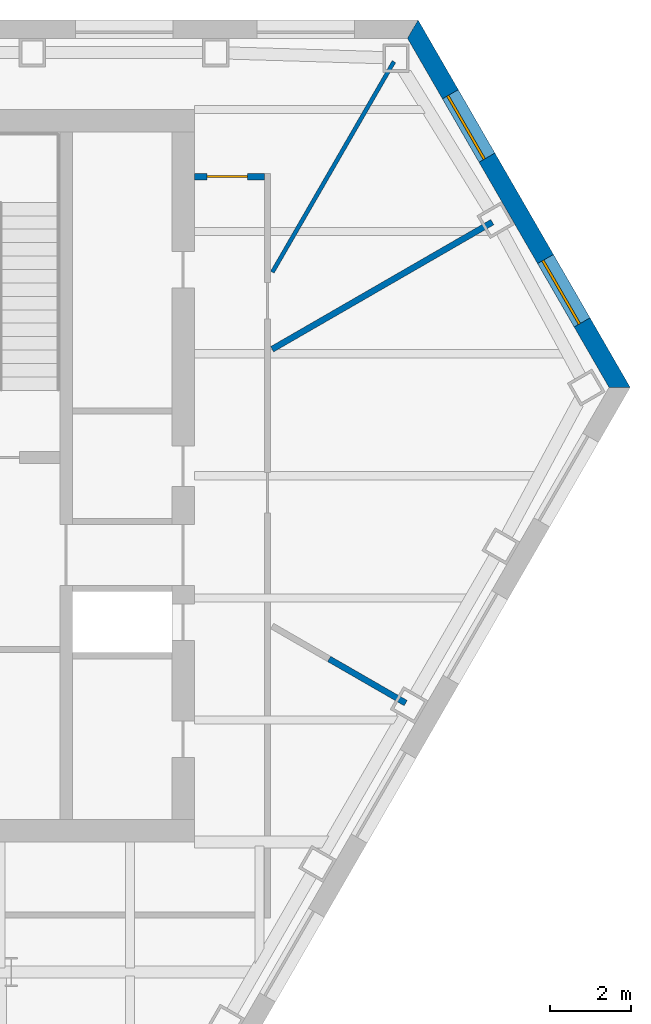
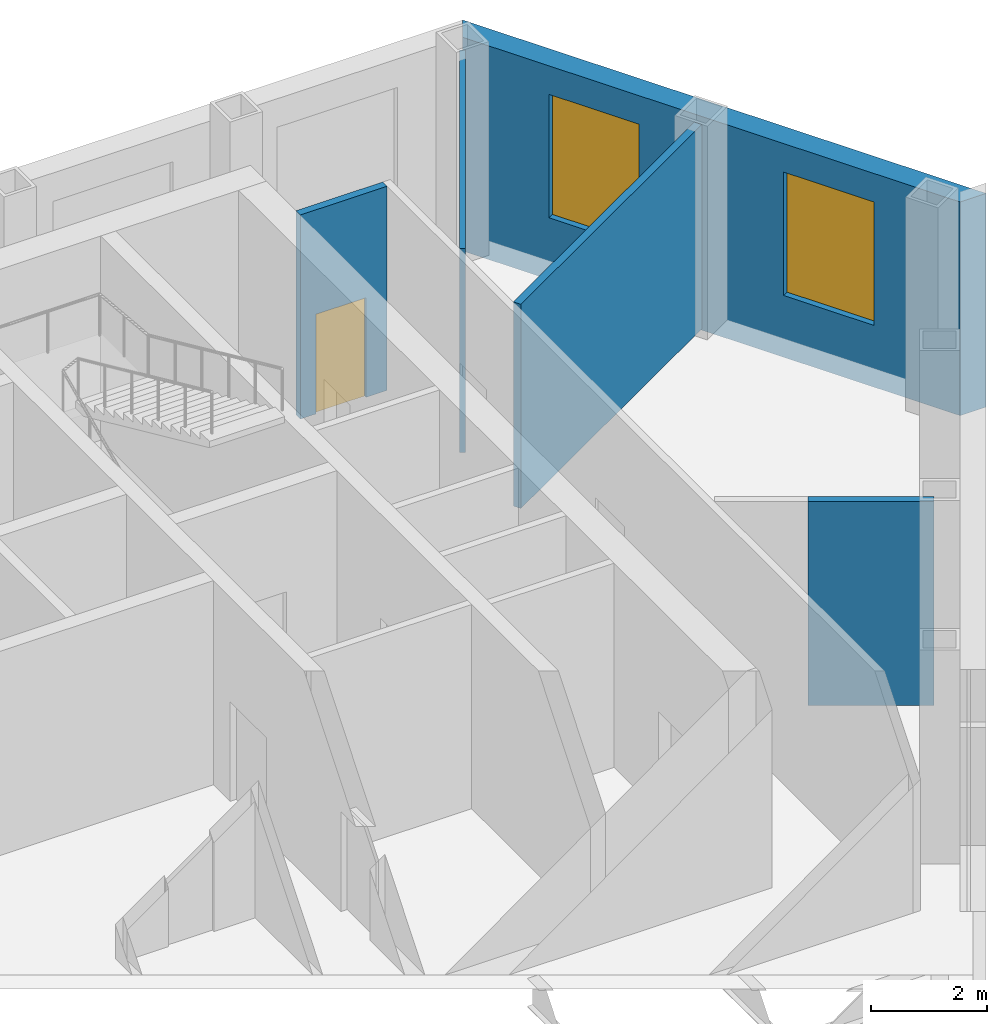
# One storey, part 8 of 11: 5 walls, 2 windows, 1 door, 3 openings.
"""IFC4 building model written with IfcOpenShell, lengths in metres."""

from ifc_helpers import new_model, si_unit, direction, frame, frame_2d, origin, place, context, subcontext, project, spatial, polyline, rectangle, outline, extrude, material, layer, layer_set, type_object, element, fill, save


model = new_model("IFC4")

# Units and contexts
model_context = context("Model", 3, precision=1e-05, world=origin(), true_north=direction((0.0, 1.0)))
body_context = subcontext(model_context, "Body", "Model", "MODEL_VIEW")
ifc_project = project(units=[si_unit("LENGTHUNIT", "METRE"), si_unit("AREAUNIT", "SQUARE_METRE"), si_unit("VOLUMEUNIT", "CUBIC_METRE"), si_unit("PLANEANGLEUNIT", "RADIAN"), si_unit("MASSUNIT", "GRAM", prefix="KILO")], contexts=[model_context])

# Site, building, storey
site_placement = place(None, origin())
site = spatial("IfcSite", under=ifc_project, at=site_placement, CompositionType="ELEMENT")
building_placement = place(site_placement, origin())
building = spatial("IfcBuilding", under=site, at=building_placement, Name="Njiva Tower", CompositionType="ELEMENT")
storey_placement = place(building_placement, frame((0.0, 0.0, 93.3)))
storey = spatial("IfcBuildingStorey", under=building, at=storey_placement, Name="L19", CompositionType="ELEMENT", Elevation=93.3)

# Wall
ifc_material_1 = material(Name="Gypsum board on steel studs", Category="gypsum")
ifc_layer_1 = layer(ifc_material_1, 0.1)
ifc_layer_set_1 = layer_set([ifc_layer_1], Name="Gypsum board on steel studs")
wall_type_1 = type_object("IfcWallType", Name="WT20 Gypsum partition 100", PredefinedType="PARTITIONING", material=ifc_layer_set_1)
wall_1_placement = place(storey_placement, frame((19.418, 14.005, 0.0), z_axis=(0.0, 0.0, 1.0), x_axis=(0.500026652407, 0.866010015463, 0.0)))
element("IfcWall", 1, at=wall_1_placement, inside=storey, type_object=wall_type_1, Name="Partition S06-P023", PredefinedType="PARTITIONING", context=body_context, shape_type="SweptSolid", body=[
    extrude(rectangle(XDim=5.9757, YDim=0.1, at=frame_2d((2.9878, 0.0))), origin(), (0.0, 0.0, 1.0), 4.3),
])

# Wall, opening, door
ifc_layer_2 = layer(ifc_material_1, 0.15)
ifc_layer_set_2 = layer_set([ifc_layer_2], Name="Gypsum board on steel studs")
wall_type_2 = type_object("IfcWallType", Name="WT21 Compartment wall 150", PredefinedType="PARTITIONING", material=ifc_layer_set_2)
wall_2_placement = place(storey_placement, frame((17.5, 16.35, 0.0), z_axis=(0.0, 0.0, 1.0), x_axis=(1.0, 0.0, 0.0)))
wall_2 = element("IfcWall", 2, at=wall_2_placement, inside=storey, type_object=wall_type_2, Name="Partition S06-P019", PredefinedType="PARTITIONING", context=body_context, shape_type="SweptSolid", body=[
    extrude(rectangle(XDim=1.725, YDim=0.15, at=frame_2d((0.8625, 0.0))), origin(), (0.0, 0.0, 1.0), 4.3),
])
opening_1_placement = place(wall_2_placement, frame((0.308, 0.0, 0.0)))
opening_1 = element("IfcOpeningElement", 3, at=opening_1_placement, cuts=wall_2, Name="Opening S06-D011", PredefinedType="OPENING", context=body_context, shape_type="SweptSolid", body=[
    extrude(rectangle(XDim=1.0, YDim=2.1, at=frame_2d((0.5, 1.05))), frame((0.0, 0.085, 0.0), z_axis=(0.0, -1.0, 0.0), x_axis=(1.0, 0.0, 0.0)), (0.0, 0.0, 1.0), 0.17),
])
ifc_material_2 = material(Name="Steel fire door set", Category="steel")
door_type = type_object("IfcDoorType", Name="D37 Fire door 1000x2100", OperationType="SINGLE_SWING_LEFT", PredefinedType="DOOR", material=ifc_material_2)
door_placement = place(opening_1_placement, origin())
door = element("IfcDoor", 4, at=door_placement, inside=storey, type_object=door_type, Name="Door S06-D011", OperationType="SINGLE_SWING_RIGHT", OverallHeight=2.1, OverallWidth=1.0, PredefinedType="DOOR", context=body_context, shape_type="SweptSolid", body=[
    extrude(rectangle(XDim=1.0, YDim=2.1, at=frame_2d((0.5, 1.05))), frame((0.0, 0.025, 0.0), z_axis=(0.0, -1.0, 0.0), x_axis=(1.0, 0.0, 0.0)), (0.0, 0.0, 1.0), 0.05),
])
fill(opening_1, door)

# Walls
wall_3_placement = place(storey_placement, frame((19.412, 12.11, 0.0), z_axis=(0.0, 0.0, 1.0), x_axis=(0.866097636026, 0.499874869213, 0.0)))
element("IfcWall", 5, at=wall_3_placement, inside=storey, type_object=wall_type_2, Name="Partition S06-P021", PredefinedType="PARTITIONING", context=body_context, shape_type="SweptSolid", body=[
    extrude(rectangle(XDim=6.2476, YDim=0.15, at=frame_2d((3.1238, 0.0))), origin(), (0.0, 0.0, 1.0), 4.3),
])
wall_4_placement = place(storey_placement, frame((20.813, 4.497, 0.0), z_axis=(0.0, 0.0, 1.0), x_axis=(0.866423210078, -0.499310345414, 0.0)))
element("IfcWall", 6, at=wall_4_placement, inside=storey, type_object=wall_type_2, Name="Partition S06-P024", PredefinedType="PARTITIONING", context=body_context, shape_type="SweptSolid", body=[
    extrude(rectangle(XDim=2.171, YDim=0.15, at=frame_2d((1.0855, 0.0))), origin(), (0.0, 0.0, 1.0), 4.3),
])

# Wall, openings, windows
ifc_material_3 = material(Name="Brick masonry, buff", Category="masonry")
ifc_layer_3 = layer(ifc_material_3, 0.45)
ifc_layer_set_3 = layer_set([ifc_layer_3], Name="Brick masonry, buff")
wall_type_3 = type_object("IfcWallType", Name="WT94 Brick pier and spandrel wall 450, buff", PredefinedType="SOLIDWALL", material=ifc_layer_set_3)
wall_5_placement = place(storey_placement, frame((27.9539, 11.1695, -0.4), z_axis=(0.0, 0.0, 1.0), x_axis=(-0.499997937663, 0.866026594472, 0.0)))
wall_5 = element("IfcWall", 7, at=wall_5_placement, inside=storey, type_object=wall_type_3, Name="Facade wall NE", PredefinedType="SOLIDWALL", context=body_context, shape_type="SweptSolid", body=[
    extrude(outline(polyline([(-0.1299, -0.225), (10.3001, -0.225), (10.0403, 0.225), (0.1299, 0.225), (-0.1299, -0.225)])), origin(), (0.0, 0.0, 1.0), 4.5),
])
opening_2_placement = place(wall_5_placement, frame((1.8469, 0.0, 1.3)))
opening_2 = element("IfcOpeningElement", 8, at=opening_2_placement, cuts=wall_5, Name="Opening S06-W34", PredefinedType="OPENING", context=body_context, shape_type="SweptSolid", body=[
    extrude(rectangle(XDim=1.8, YDim=2.6, at=frame_2d((0.9, 1.3))), frame((0.0, 0.235, 0.0), z_axis=(0.0, -1.0, 0.0), x_axis=(1.0, 0.0, 0.0)), (0.0, 0.0, 1.0), 0.47),
])
opening_3_placement = place(wall_5_placement, frame((6.5232, 0.0, 1.3)))
opening_3 = element("IfcOpeningElement", 9, at=opening_3_placement, cuts=wall_5, Name="Opening S06-W35", PredefinedType="OPENING", context=body_context, shape_type="SweptSolid", body=[
    extrude(rectangle(XDim=1.8, YDim=2.6, at=frame_2d((0.9, 1.3))), frame((0.0, 0.235, 0.0), z_axis=(0.0, -1.0, 0.0), x_axis=(1.0, 0.0, 0.0)), (0.0, 0.0, 1.0), 0.47),
])
ifc_material_4 = material(Name="Clear glazing in aluminium frame", Category="aluminium")
window_type = type_object("IfcWindowType", Name="W96 Deep-set window 1800x2600", PartitioningType="SINGLE_PANEL", PredefinedType="WINDOW", material=ifc_material_4)
window_1_placement = place(opening_2_placement, origin())
window_1 = element("IfcWindow", 10, at=window_1_placement, inside=storey, type_object=window_type, Name="Window", OverallHeight=2.6, OverallWidth=1.8, PartitioningType="SINGLE_PANEL", PredefinedType="WINDOW", context=body_context, shape_type="SweptSolid", body=[
    extrude(rectangle(XDim=1.8, YDim=2.6, at=frame_2d((0.9, 1.3))), frame((0.0, 0.105, 0.0), z_axis=(0.0, -1.0, 0.0), x_axis=(1.0, 0.0, 0.0)), (0.0, 0.0, 1.0), 0.06),
])
fill(opening_2, window_1)
window_2_placement = place(opening_3_placement, origin())
window_2 = element("IfcWindow", 11, at=window_2_placement, inside=storey, type_object=window_type, Name="Window", OverallHeight=2.6, OverallWidth=1.8, PartitioningType="SINGLE_PANEL", PredefinedType="WINDOW", context=body_context, shape_type="SweptSolid", body=[
    extrude(rectangle(XDim=1.8, YDim=2.6, at=frame_2d((0.9, 1.3))), frame((0.0, 0.105, 0.0), z_axis=(0.0, -1.0, 0.0), x_axis=(1.0, 0.0, 0.0)), (0.0, 0.0, 1.0), 0.06),
])
fill(opening_3, window_2)

save(model, "model.ifc")
